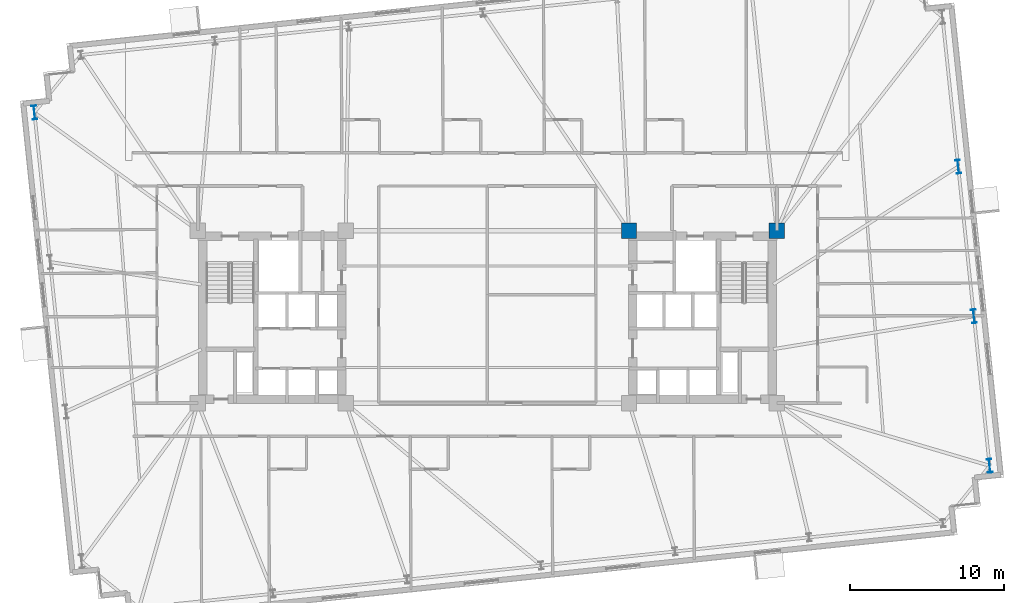
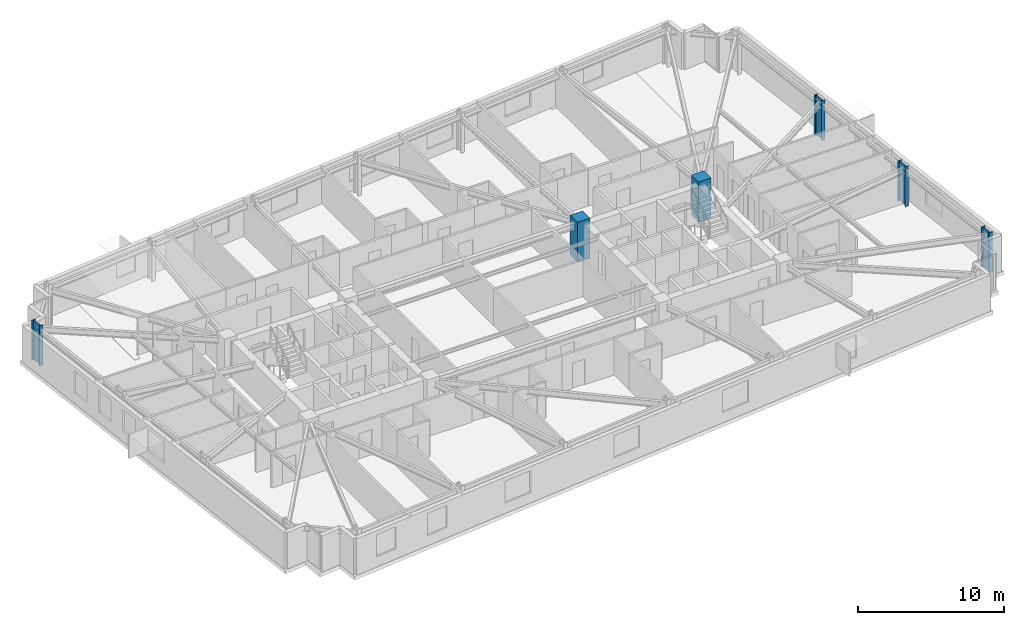
# One storey, part 2 of 20: 6 columns.
"""IFC4 building model written with IfcOpenShell, lengths in metres."""

from ifc_helpers import new_model, si_unit, direction, frame, origin, origin_2d, place, context, subcontext, project, spatial, rectangle, i_section, extrude, material, material_profile, profile_set, type_object, element, save


model = new_model("IFC4")

# Units and contexts
model_context = context("Model", 3, precision=1e-05, world=origin(), true_north=direction((0.0, 1.0)))
body_context = subcontext(model_context, "Body", "Model", "MODEL_VIEW")
ifc_project = project(units=[si_unit("LENGTHUNIT", "METRE"), si_unit("AREAUNIT", "SQUARE_METRE"), si_unit("VOLUMEUNIT", "CUBIC_METRE"), si_unit("PLANEANGLEUNIT", "RADIAN"), si_unit("MASSUNIT", "GRAM", prefix="KILO")], contexts=[model_context])

# Site, building, storey
site_placement = place(None, origin())
site = spatial("IfcSite", under=ifc_project, at=site_placement, CompositionType="ELEMENT")
building_placement = place(site_placement, origin())
building = spatial("IfcBuilding", under=site, at=building_placement, Name="Qobustan Lattice House", CompositionType="ELEMENT")
storey_placement = place(building_placement, frame((0.0, 0.0, 89.050048828125)))
storey = spatial("IfcBuildingStorey", under=building, at=storey_placement, Name="L24", CompositionType="ELEMENT", Elevation=89.050048828125)

# Columns
ifc_material_1 = material(Name="Concrete C60/75", Category="concrete")
ifc_material_profile_1 = material_profile(ifc_material_1, rectangle(XDim=1.0, YDim=1.0, at=origin_2d()), Name="RC1000x1000")
ifc_profile_set_1 = profile_set([ifc_material_profile_1], Name="Concrete C60/75")
column_type_1 = type_object("IfcColumnType", Name="COL-RC-1000", PredefinedType="COLUMN", material=ifc_profile_set_1)
for number, where, z_axis, x_axis, name in (
    (1, (9.199951171875, 5.60009765625, 0.0), (0.0, 0.0, 1.0), (1.0, 0.0, 0.0), "L24 core mega-column CE-NW"),
    (2, (18.800048828125, 5.60009765625, 0.0), (0.0, 0.0, 1.0), (1.0, 0.0, 0.0), "L24 core mega-column CE-NE"),
):
    element("IfcColumn", number, at=place(storey_placement, frame(where, z_axis=z_axis, x_axis=x_axis)), inside=storey, type_object=column_type_1, Name=name, PredefinedType="COLUMN", context=body_context, shape_type="SweptSolid", body=[
        extrude(rectangle(XDim=1.0, YDim=1.0, at=origin_2d()), origin(), (0.0, 0.0, 1.0), 3.349853515625),
    ])
ifc_material_2 = material(Name="Steel S355", Category="steel")
ifc_material_profile_2 = material_profile(ifc_material_2, i_section(OverallWidth=0.300048828125, OverallDepth=0.89990234375, WebThickness=0.0185546875, FlangeThickness=0.034912109375, FilletRadius=0.030029296875, at=origin_2d()), Name="HEB900")
ifc_profile_set_2 = profile_set([ifc_material_profile_2], Name="Steel S355")
column_type_2 = type_object("IfcColumnType", Name="COL-ST-HEB900", PredefinedType="COLUMN", material=ifc_profile_set_2)
for number, where, z_axis, x_axis, name in (
    (3, (32.618896484375, -9.67041015625, 0.0), (0.0, 0.0, 1.0), (0.994521895368, 0.104528463268, 0.0), "L24 B2 perimeter column E1"),
    (4, (31.597900390625, 0.042724609375, 0.0), (0.0, 0.0, 1.0), (0.994521895368, 0.104528463268, 0.0), "L24 B2 perimeter column E2"),
    (5, (30.5771484375, 9.755859375, 0.0), (0.0, 0.0, 1.0), (0.994521895368, 0.104528463268, 0.0), "L24 B2 perimeter column E3"),
    (6, (-29.4189453125, 13.2705078125, 0.0), (0.0, 0.0, 1.0), (0.994521895368, 0.104528463268, 0.0), "L24 B2 perimeter column W1"),
):
    element("IfcColumn", number, at=place(storey_placement, frame(where, z_axis=z_axis, x_axis=x_axis)), inside=storey, type_object=column_type_2, Name=name, PredefinedType="COLUMN", context=body_context, shape_type="SweptSolid", body=[
        extrude(i_section(OverallWidth=0.300048828125, OverallDepth=0.89990234375, WebThickness=0.0185546875, FlangeThickness=0.034912109375, FilletRadius=0.030029296875, at=origin_2d()), origin(), (0.0, 0.0, 1.0), 3.349853515625),
    ])

save(model, "model.ifc")
